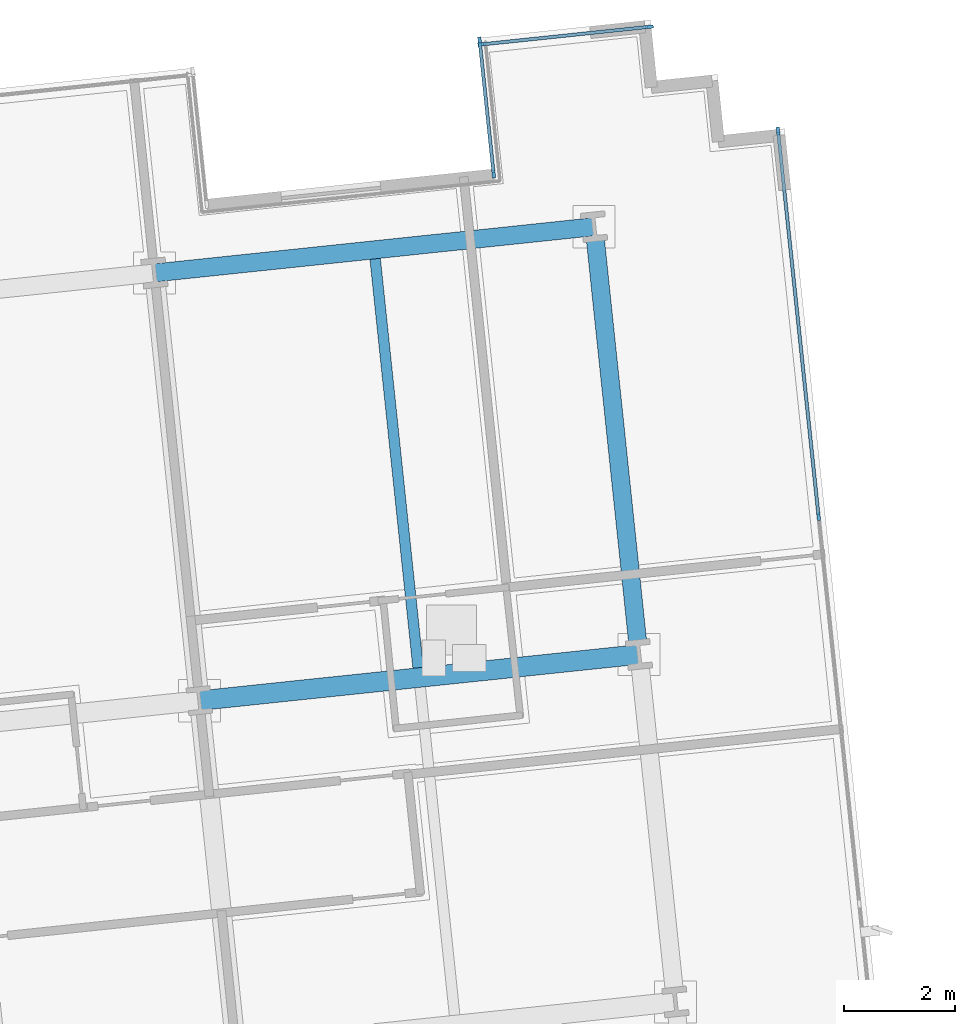
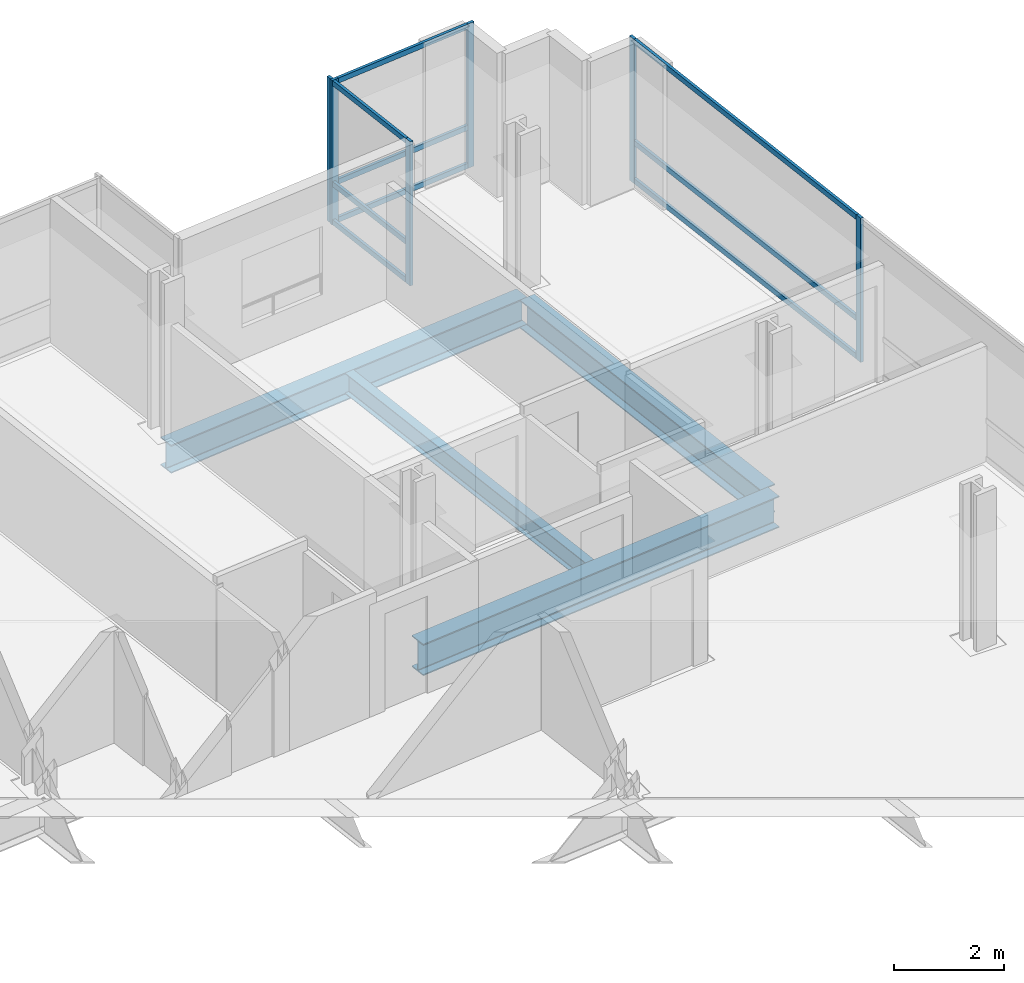
# One storey, part 11 of 21: 15 members, 4 beams, 3 elements without a shape of their own.
"""IFC4 building model written with IfcOpenShell, lengths in metres."""

from ifc_helpers import new_model, si_unit, direction, frame, origin, origin_2d, place, context, subcontext, project, spatial, rectangle, i_section, extrude, material, material_profile, profile_set, type_object, element, aggregate, save


model = new_model("IFC4")

# Units and contexts
model_context = context("Model", 3, precision=1e-05, world=origin(), true_north=direction((0.0, 1.0)))
body_context = subcontext(model_context, "Body", "Model", "MODEL_VIEW")
ifc_project = project(units=[si_unit("LENGTHUNIT", "METRE"), si_unit("AREAUNIT", "SQUARE_METRE"), si_unit("VOLUMEUNIT", "CUBIC_METRE"), si_unit("PLANEANGLEUNIT", "RADIAN"), si_unit("MASSUNIT", "GRAM", prefix="KILO")], contexts=[model_context])

# Site, building, storey
site_placement = place(None, origin())
site = spatial("IfcSite", under=ifc_project, at=site_placement, CompositionType="ELEMENT")
building_placement = place(site_placement, origin())
building = spatial("IfcBuilding", under=site, at=building_placement, Name="Solmavex Isthmus Hotel", CompositionType="ELEMENT")
storey_placement = place(building_placement, frame((0.0, 0.0, 113.25)))
storey = spatial("IfcBuildingStorey", under=building, at=storey_placement, Name="L30", CompositionType="ELEMENT", Elevation=113.25)

# Beams
ifc_material_1 = material(Name="Steel ASTM A992 Grade 50", Category="steel")
ifc_material_profile_1 = material_profile(ifc_material_1, i_section(OverallWidth=0.354736328125, OverallDepth=0.695556640625, WebThickness=0.015380859375, FlangeThickness=0.02490234375, FilletRadius=0.017822265625, at=origin_2d()), Name="W27X146")
ifc_profile_set_1 = profile_set([ifc_material_profile_1], Name="Steel ASTM A992 Grade 50")
beam_type_1 = type_object("IfcBeamType", Name="BM-BG-W27X146", PredefinedType="BEAM", material=ifc_profile_set_1)
beam_1_placement = place(storey_placement, frame((20.5615234375, 11.921875, -0.607666015625), z_axis=(0.994523402738, 0.104514120609, 0.0), x_axis=(-0.104514120609, 0.994523402738, 0.0)))
element("IfcBeam", 1, at=beam_1_placement, inside=storey, type_object=beam_type_1, Name="Floor Girder L30-UG18", PredefinedType="BEAM", context=body_context, shape_type="SweptSolid", body=[
    extrude(i_section(OverallWidth=0.354736328125, OverallDepth=0.695556640625, WebThickness=0.015380859375, FlangeThickness=0.02490234375, FilletRadius=0.017822265625, at=origin_2d()), origin(), (0.0, 0.0, 1.0), 7.968017578125),
])
ifc_material_profile_2 = material_profile(ifc_material_1, i_section(OverallWidth=0.1904296875, OverallDepth=0.456787109375, WebThickness=0.009033203125, FlangeThickness=0.014404296875, FilletRadius=0.0126953125, at=origin_2d()), Name="W18X50")
ifc_profile_set_2 = profile_set([ifc_material_profile_2], Name="Steel ASTM A992 Grade 50")
beam_type_2 = type_object("IfcBeamType", Name="BM-BJ-W18X50", PredefinedType="JOIST", material=ifc_profile_set_2)
beam_2_placement = place(storey_placement, frame((24.505126953125, 12.5146484375, -0.488525390625), z_axis=(-0.10452188296, 0.994522586964, 0.0), x_axis=(-0.994522586964, -0.10452188296, 0.0)))
element("IfcBeam", 2, at=beam_2_placement, inside=storey, type_object=beam_type_2, Name="Secondary Floor Joist L30-J21", PredefinedType="JOIST", context=body_context, shape_type="SweptSolid", body=[
    extrude(i_section(OverallWidth=0.1904296875, OverallDepth=0.456787109375, WebThickness=0.009033203125, FlangeThickness=0.014404296875, FilletRadius=0.0126953125, at=origin_2d()), origin(), (0.0, 0.0, 1.0), 7.411376953125),
])
ifc_material_profile_3 = material_profile(ifc_material_1, i_section(OverallWidth=0.326416015625, OverallDepth=0.621826171875, WebThickness=0.015380859375, FlangeThickness=0.0244140625, FilletRadius=0.01513671875, at=origin_2d()), Name="W24X131")
ifc_profile_set_3 = profile_set([ifc_material_profile_3], Name="Steel ASTM A992 Grade 50")
beam_type_3 = type_object("IfcBeamType", Name="BM-SP-W24X131", PredefinedType="SPANDREL", material=ifc_profile_set_3)
beam_3_placement = place(storey_placement, frame((19.751220703125, 19.63134765625, -0.57080078125), z_axis=(0.994520217478, 0.10454442609, 0.0), x_axis=(-0.10454442609, 0.994520217478, 0.0)))
element("IfcBeam", 3, at=beam_3_placement, inside=storey, type_object=beam_type_3, Name="Floor Girder L30-UG24", PredefinedType="SPANDREL", context=body_context, shape_type="SweptSolid", body=[
    extrude(i_section(OverallWidth=0.326416015625, OverallDepth=0.621826171875, WebThickness=0.015380859375, FlangeThickness=0.0244140625, FilletRadius=0.01513671875, at=origin_2d()), origin(), (0.0, 0.0, 1.0), 7.968017578125),
])
beam_4_placement = place(storey_placement, frame((28.46728515625, 12.93115234375, -0.57080078125), z_axis=(-0.10452188296, 0.994522586964, 0.0), x_axis=(-0.994522586964, -0.10452188296, 0.0)))
element("IfcBeam", 4, at=beam_4_placement, inside=storey, type_object=beam_type_3, Name="Floor Beam L30-VG48", PredefinedType="SPANDREL", context=body_context, shape_type="SweptSolid", body=[
    extrude(i_section(OverallWidth=0.326416015625, OverallDepth=0.621826171875, WebThickness=0.015380859375, FlangeThickness=0.0244140625, FilletRadius=0.01513671875, at=origin_2d()), origin(), (0.0, 0.0, 1.0), 7.411376953125),
])

# Curtain wall, members
ifc_material_2 = material(Name="Aluminium alloy 6063-T6", Category="aluminium")
curtain_wall_type = type_object("IfcCurtainWallType", Name="CW-SYS-06", PredefinedType="NOTDEFINED", material=ifc_material_2)
curtain_wall_1_placement = place(storey_placement, origin())
curtain_wall_1 = element("IfcCurtainWall", 5, at=curtain_wall_1_placement, inside=storey, type_object=curtain_wall_type, Name="Stick Curtain Wall CWL-L30-SGE", PredefinedType="NOTDEFINED")
ifc_material_profile_4 = material_profile(ifc_material_2, rectangle(XDim=0.06005859375, YDim=0.139892578125, at=origin_2d()), Name="CWM-60X140")
ifc_profile_set_4 = profile_set([ifc_material_profile_4], Name="Aluminium alloy 6063-T6")
member_type_1 = type_object("IfcMemberType", Name="CW-SYS-06-MUL", PredefinedType="MULLION", material=ifc_profile_set_4)
member_1_placement = place(storey_placement, frame((25.86669921875, 21.410400390625, 0.0), z_axis=(0.0, 0.0, 1.0), x_axis=(-0.994521945164, -0.10452798949, 0.0)))
member_1 = element("IfcMember", 6, at=member_1_placement, type_object=member_type_1, Name="CW-06 mullion 1", PredefinedType="MULLION", context=body_context, shape_type="SweptSolid", body=[
    extrude(rectangle(XDim=0.06005859375, YDim=0.139892578125, at=origin_2d()), origin(), (0.0, 0.0, 1.0), 3.18994140625),
])
member_2_placement = place(storey_placement, frame((25.61376953125, 23.817138671875, 0.0), z_axis=(0.0, 0.0, 1.0), x_axis=(-0.994521945164, -0.10452798949, 0.0)))
member_2 = element("IfcMember", 7, at=member_2_placement, type_object=member_type_1, Name="CW-06 mullion 2", PredefinedType="MULLION", context=body_context, shape_type="SweptSolid", body=[
    extrude(rectangle(XDim=0.06005859375, YDim=0.139892578125, at=origin_2d()), origin(), (0.0, 0.0, 1.0), 3.18994140625),
])

curtain_wall_2_placement = place(storey_placement, origin())
curtain_wall_2 = element("IfcCurtainWall", 8, at=curtain_wall_2_placement, inside=storey, type_object=curtain_wall_type, Name="Stick Curtain Wall CWL-L30-N4", PredefinedType="NOTDEFINED")
member_3_placement = place(storey_placement, frame((25.65087890625, 23.750732421875, 0.0), z_axis=(0.0, 0.0, 1.0), x_axis=(-0.104528954802, 0.994521843706, 0.0)))
member_3 = element("IfcMember", 9, at=member_3_placement, type_object=member_type_1, Name="CW-06 mullion 1", PredefinedType="MULLION", context=body_context, shape_type="SweptSolid", body=[
    extrude(rectangle(XDim=0.06005859375, YDim=0.139892578125, at=origin_2d()), origin(), (0.0, 0.0, 1.0), 3.18994140625),
])
member_4_placement = place(storey_placement, frame((28.67431640625, 24.068359375, 0.0), z_axis=(0.0, 0.0, 1.0), x_axis=(-0.104528954802, 0.994521843706, 0.0)))
member_4 = element("IfcMember", 10, at=member_4_placement, type_object=member_type_1, Name="CW-06 mullion 2", PredefinedType="MULLION", context=body_context, shape_type="SweptSolid", body=[
    extrude(rectangle(XDim=0.06005859375, YDim=0.139892578125, at=origin_2d()), origin(), (0.0, 0.0, 1.0), 3.18994140625),
])

curtain_wall_3_placement = place(storey_placement, origin())
curtain_wall_3 = element("IfcCurtainWall", 11, at=curtain_wall_3_placement, inside=storey, type_object=curtain_wall_type, Name="Stick Curtain Wall CWL-L30-E1", PredefinedType="NOTDEFINED")
member_5_placement = place(storey_placement, frame((31.723876953125, 15.23876953125, 0.0), z_axis=(0.0, 0.0, 1.0), x_axis=(-0.994521893044, -0.104528485381, 0.0)))
member_5 = element("IfcMember", 12, at=member_5_placement, type_object=member_type_1, Name="CW-06 mullion 5", PredefinedType="MULLION", context=body_context, shape_type="SweptSolid", body=[
    extrude(rectangle(XDim=0.06005859375, YDim=0.139892578125, at=origin_2d()), origin(), (0.0, 0.0, 1.0), 3.18994140625),
])
member_6_placement = place(storey_placement, frame((30.9931640625, 22.1904296875, 0.0), z_axis=(0.0, 0.0, 1.0), x_axis=(-0.994521893044, -0.104528485381, 0.0)))
member_6 = element("IfcMember", 13, at=member_6_placement, type_object=member_type_1, Name="CW-06 mullion 6", PredefinedType="MULLION", context=body_context, shape_type="SweptSolid", body=[
    extrude(rectangle(XDim=0.06005859375, YDim=0.139892578125, at=origin_2d()), origin(), (0.0, 0.0, 1.0), 3.18994140625),
])

# Member
ifc_material_profile_5 = material_profile(ifc_material_2, rectangle(XDim=0.06005859375, YDim=0.114990234375, at=origin_2d()), Name="CWT-60X115")
ifc_profile_set_5 = profile_set([ifc_material_profile_5], Name="Aluminium alloy 6063-T6")
member_type_2 = type_object("IfcMemberType", Name="CW-SYS-06-TRN", PredefinedType="USERDEFINED", material=ifc_profile_set_5)
member_7_placement = place(storey_placement, frame((25.863525390625, 21.440185546875, 0.0576171875), z_axis=(-0.104480158203, 0.994526971249, 0.0), x_axis=(-0.994526971249, -0.104480158203, 0.0)))
member_7 = element("IfcMember", 14, at=member_7_placement, type_object=member_type_2, Name="CW-06 transom 1.1", ObjectType="TRANSOM", PredefinedType="USERDEFINED", context=body_context, shape_type="SweptSolid", body=[
    extrude(rectangle(XDim=0.06005859375, YDim=0.114990234375, at=origin_2d()), origin(), (0.0, 0.0, 1.0), 2.360107421875),
])

member_8_placement = place(storey_placement, frame((25.863525390625, 21.440185546875, 0.89990234375), z_axis=(-0.104480158203, 0.994526971249, 0.0), x_axis=(-0.994526971249, -0.104480158203, 0.0)))
member_8 = element("IfcMember", 15, at=member_8_placement, type_object=member_type_2, Name="CW-06 transom 1.2", ObjectType="TRANSOM", PredefinedType="USERDEFINED", context=body_context, shape_type="SweptSolid", body=[
    extrude(rectangle(XDim=0.06005859375, YDim=0.114990234375, at=origin_2d()), origin(), (0.0, 0.0, 1.0), 2.360107421875),
])

member_9_placement = place(storey_placement, frame((25.863525390625, 21.440185546875, 3.132568359375), z_axis=(-0.104480158203, 0.994526971249, 0.0), x_axis=(-0.994526971249, -0.104480158203, 0.0)))
member_9 = element("IfcMember", 16, at=member_9_placement, type_object=member_type_2, Name="CW-06 transom 1.3", ObjectType="TRANSOM", PredefinedType="USERDEFINED", context=body_context, shape_type="SweptSolid", body=[
    extrude(rectangle(XDim=0.06005859375, YDim=0.114990234375, at=origin_2d()), origin(), (0.0, 0.0, 1.0), 2.360107421875),
])

aggregate(curtain_wall_1, [member_1, member_2, member_7, member_8, member_9])

member_10_placement = place(storey_placement, frame((25.6806640625, 23.75390625, 0.0576171875), z_axis=(0.994529220149, 0.10445874913, 0.0), x_axis=(-0.10445874913, 0.994529220149, 0.0)))
member_10 = element("IfcMember", 17, at=member_10_placement, type_object=member_type_2, Name="CW-06 transom 1.1", ObjectType="TRANSOM", PredefinedType="USERDEFINED", context=body_context, shape_type="SweptSolid", body=[
    extrude(rectangle(XDim=0.06005859375, YDim=0.114990234375, at=origin_2d()), origin(), (0.0, 0.0, 1.0), 2.97998046875),
])

member_11_placement = place(storey_placement, frame((25.6806640625, 23.75390625, 0.89990234375), z_axis=(0.994529220149, 0.10445874913, 0.0), x_axis=(-0.10445874913, 0.994529220149, 0.0)))
member_11 = element("IfcMember", 18, at=member_11_placement, type_object=member_type_2, Name="CW-06 transom 1.2", ObjectType="TRANSOM", PredefinedType="USERDEFINED", context=body_context, shape_type="SweptSolid", body=[
    extrude(rectangle(XDim=0.06005859375, YDim=0.114990234375, at=origin_2d()), origin(), (0.0, 0.0, 1.0), 2.97998046875),
])

member_12_placement = place(storey_placement, frame((25.6806640625, 23.75390625, 3.132568359375), z_axis=(0.994529220149, 0.10445874913, 0.0), x_axis=(-0.10445874913, 0.994529220149, 0.0)))
member_12 = element("IfcMember", 19, at=member_12_placement, type_object=member_type_2, Name="CW-06 transom 1.3", ObjectType="TRANSOM", PredefinedType="USERDEFINED", context=body_context, shape_type="SweptSolid", body=[
    extrude(rectangle(XDim=0.06005859375, YDim=0.114990234375, at=origin_2d()), origin(), (0.0, 0.0, 1.0), 2.97998046875),
])

aggregate(curtain_wall_2, [member_3, member_4, member_10, member_11, member_12])

member_13_placement = place(storey_placement, frame((31.720703125, 15.2685546875, 0.0576171875), z_axis=(-0.10452523802, 0.99452223435, 0.0), x_axis=(-0.99452223435, -0.10452523802, 0.0)))
member_13 = element("IfcMember", 20, at=member_13_placement, type_object=member_type_2, Name="CW-06 transom 5.1", ObjectType="TRANSOM", PredefinedType="USERDEFINED", context=body_context, shape_type="SweptSolid", body=[
    extrude(rectangle(XDim=0.06005859375, YDim=0.114990234375, at=origin_2d()), origin(), (0.0, 0.0, 1.0), 6.929931640625),
])

member_14_placement = place(storey_placement, frame((31.720703125, 15.2685546875, 0.89990234375), z_axis=(-0.10452523802, 0.99452223435, 0.0), x_axis=(-0.99452223435, -0.10452523802, 0.0)))
member_14 = element("IfcMember", 21, at=member_14_placement, type_object=member_type_2, Name="CW-06 transom 5.2", ObjectType="TRANSOM", PredefinedType="USERDEFINED", context=body_context, shape_type="SweptSolid", body=[
    extrude(rectangle(XDim=0.06005859375, YDim=0.114990234375, at=origin_2d()), origin(), (0.0, 0.0, 1.0), 6.929931640625),
])

member_15_placement = place(storey_placement, frame((31.720703125, 15.2685546875, 3.132568359375), z_axis=(-0.10452523802, 0.99452223435, 0.0), x_axis=(-0.99452223435, -0.10452523802, 0.0)))
member_15 = element("IfcMember", 22, at=member_15_placement, type_object=member_type_2, Name="CW-06 transom 5.3", ObjectType="TRANSOM", PredefinedType="USERDEFINED", context=body_context, shape_type="SweptSolid", body=[
    extrude(rectangle(XDim=0.06005859375, YDim=0.114990234375, at=origin_2d()), origin(), (0.0, 0.0, 1.0), 6.929931640625),
])

aggregate(curtain_wall_3, [member_5, member_6, member_13, member_14, member_15])

save(model, "model.ifc")
